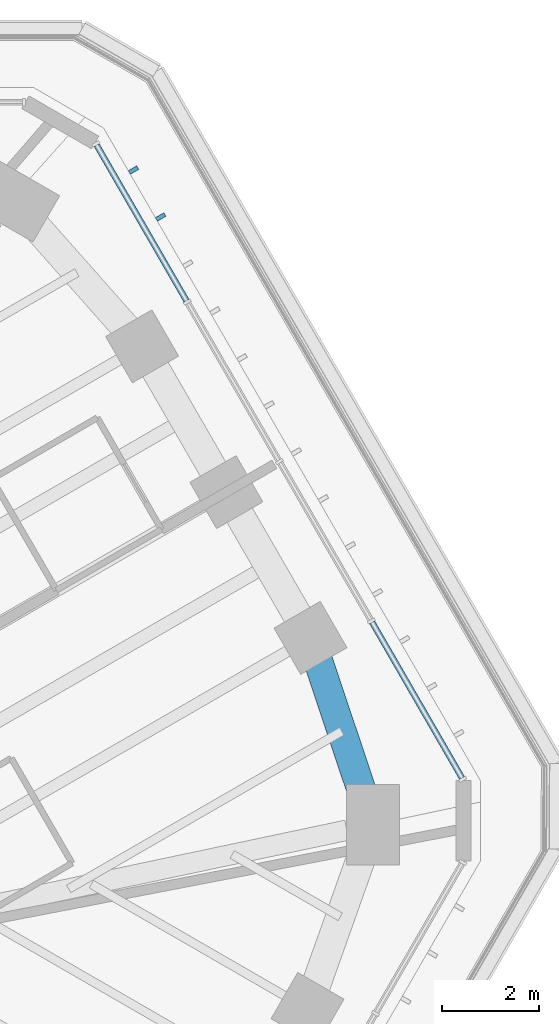
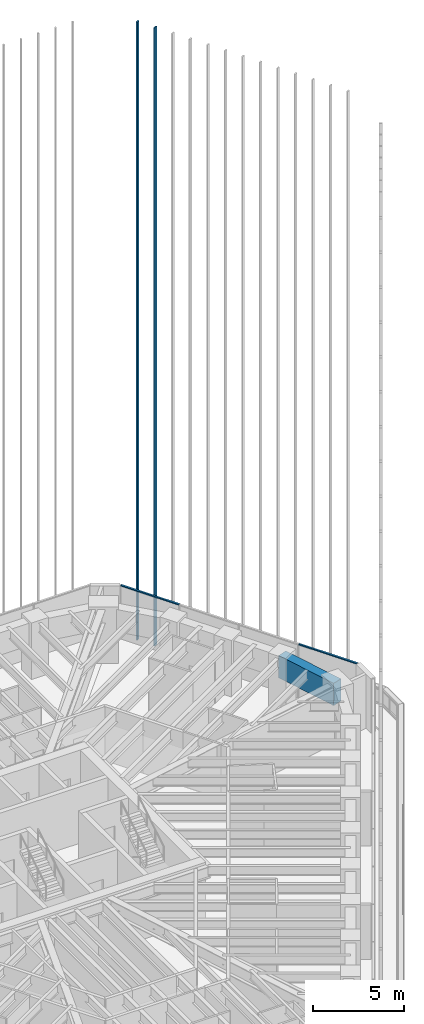
# One storey, part 112 of 127: 4 members, 1 beam, 1 element without a shape of its own.
"""IFC4 building model written with IfcOpenShell, lengths in metres."""

from ifc_helpers import new_model, si_unit, direction, frame, origin, origin_2d, place, context, subcontext, project, spatial, rectangle, extrude, material, material_profile, profile_set, type_object, element, aggregate, save


model = new_model("IFC4")

# Units and contexts
model_context = context("Model", 3, precision=1e-05, world=origin(), true_north=direction((0.0, 1.0)))
body_context = subcontext(model_context, "Body", "Model", "MODEL_VIEW")
ifc_project = project(units=[si_unit("LENGTHUNIT", "METRE"), si_unit("AREAUNIT", "SQUARE_METRE"), si_unit("VOLUMEUNIT", "CUBIC_METRE"), si_unit("PLANEANGLEUNIT", "RADIAN"), si_unit("MASSUNIT", "GRAM", prefix="KILO")], contexts=[model_context])

# Site, building, storey
site_placement = place(None, origin())
site = spatial("IfcSite", under=ifc_project, at=site_placement, CompositionType="ELEMENT")
building_placement = place(site_placement, origin())
building = spatial("IfcBuilding", under=site, at=building_placement, Name="Sandreach Pilgrim Tower", CompositionType="ELEMENT")
storey_placement = place(building_placement, frame((0.0, 0.0, 257.0)))
storey = spatial("IfcBuildingStorey", under=building, at=storey_placement, Name="L64", CompositionType="ELEMENT", Elevation=257.0)

# Curtain wall, members
ifc_material_1 = material(Name="Aluminium framed curtain wall", Category="aluminium")
curtain_wall_type = type_object("IfcCurtainWallType", Name="Suite tower curtain wall", PredefinedType="NOTDEFINED", material=ifc_material_1)
curtain_wall_placement = place(storey_placement, origin())
curtain_wall = element("IfcCurtainWall", 1, at=curtain_wall_placement, inside=storey, type_object=curtain_wall_type, Name="CW-4 L64 NE", PredefinedType="NOTDEFINED")
ifc_material_2 = material(Name="Aluminium extrusion", Category="aluminium")
ifc_material_profile_1 = material_profile(ifc_material_2, rectangle(XDim=0.1201171875, YDim=0.070068359375, at=origin_2d()), Name="CW-4T 120X70")
ifc_profile_set_1 = profile_set([ifc_material_profile_1], Name="Aluminium extrusion")
member_type_1 = type_object("IfcMemberType", Name="CW-4 transom", PredefinedType="USERDEFINED", material=ifc_profile_set_1)
member_1_placement = place(storey_placement, frame((17.76611328125, 18.944580078125, 3.60498046875), z_axis=(0.499990780478, -0.866030726613, 0.0), x_axis=(0.866030726613, 0.499990780478, 0.0)))
member_1 = element("IfcMember", 2, at=member_1_placement, type_object=member_type_1, Name="CW-4 head transom 1", ObjectType="TRANSOM", PredefinedType="USERDEFINED", context=body_context, shape_type="SweptSolid", body=[
    extrude(rectangle(XDim=0.1201171875, YDim=0.070068359375, at=origin_2d()), origin(), (0.0, 0.0, 1.0), 3.70166015625),
])
member_2_placement = place(storey_placement, frame((23.4384765625, 9.119384765625, 3.60498046875), z_axis=(0.499990780478, -0.866030726613, 0.0), x_axis=(0.866030726613, 0.499990780478, 0.0)))
member_2 = element("IfcMember", 3, at=member_2_placement, type_object=member_type_1, Name="CW-4 head transom 4", ObjectType="TRANSOM", PredefinedType="USERDEFINED", context=body_context, shape_type="SweptSolid", body=[
    extrude(rectangle(XDim=0.1201171875, YDim=0.070068359375, at=origin_2d()), origin(), (0.0, 0.0, 1.0), 3.70166015625),
])

# Beam
ifc_material_3 = material(Name="Concrete 10000 psi", Category="concrete")
ifc_material_profile_2 = material_profile(ifc_material_3, rectangle(XDim=0.60009765625, YDim=1.5, at=origin_2d()), Name="RC600X1500")
ifc_profile_set_2 = profile_set([ifc_material_profile_2], Name="Concrete 10000 psi")
beam_type = type_object("IfcBeamType", Name="Spandrel beam RC600X1500", PredefinedType="SPANDREL", material=ifc_profile_set_2)
beam_placement = place(storey_placement, frame((22.169189453125, 8.7978515625, 2.889892578125), z_axis=(0.317293238289, -0.948327475578, 0.0), x_axis=(0.948327475578, 0.317293238289, 0.0)))
element("IfcBeam", 4, at=beam_placement, inside=storey, type_object=beam_type, Name="BM L64 SP12", PredefinedType="SPANDREL", context=body_context, shape_type="SweptSolid", body=[
    extrude(rectangle(XDim=0.60009765625, YDim=1.5, at=origin_2d()), origin(), (0.0, 0.0, 1.0), 4.054931640625),
])

# Member
ifc_material_4 = material(Name="Extruded terracotta on aluminium core", Category="masonry")
ifc_material_profile_3 = material_profile(ifc_material_4, rectangle(XDim=0.080078125, YDim=0.199951171875, at=origin_2d()), Name="TBE 80X200")
ifc_profile_set_3 = profile_set([ifc_material_profile_3], Name="Extruded terracotta on aluminium core")
member_type_2 = type_object("IfcMemberType", Name="Terracotta baguette east", PredefinedType="USERDEFINED", material=ifc_profile_set_3)
member_3_placement = place(storey_placement, frame((18.525146484375, 18.4296875, 0.0), z_axis=(0.0, 0.0, 1.0), x_axis=(0.5, -0.866025403784, 0.0)))
member_3 = element("IfcMember", 5, at=member_3_placement, type_object=member_type_2, Name="Baguette Z4 NE01", ObjectType="BAGUETTE", PredefinedType="USERDEFINED", context=body_context, shape_type="SweptSolid", body=[
    extrude(rectangle(XDim=0.080078125, YDim=0.199951171875, at=origin_2d()), origin(), (0.0, 0.0, 1.0), 41.639892578125),
])

member_4_placement = place(storey_placement, frame((19.083251953125, 17.462890625, 0.0), z_axis=(0.0, 0.0, 1.0), x_axis=(0.5, -0.866025403784, 0.0)))
member_4 = element("IfcMember", 6, at=member_4_placement, type_object=member_type_2, Name="Baguette Z4 NE02", ObjectType="BAGUETTE", PredefinedType="USERDEFINED", context=body_context, shape_type="SweptSolid", body=[
    extrude(rectangle(XDim=0.080078125, YDim=0.199951171875, at=origin_2d()), origin(), (0.0, 0.0, 1.0), 41.639892578125),
])

aggregate(curtain_wall, [member_1, member_2, member_3, member_4])

save(model, "model.ifc")
